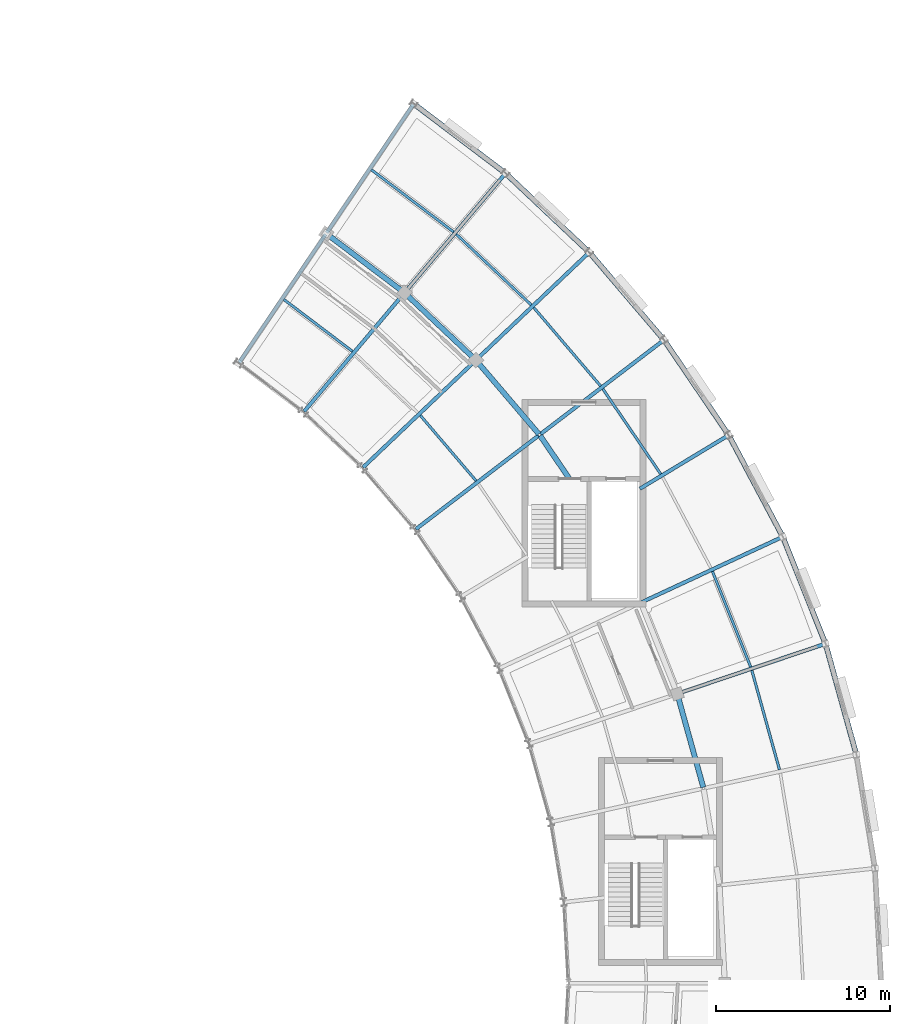
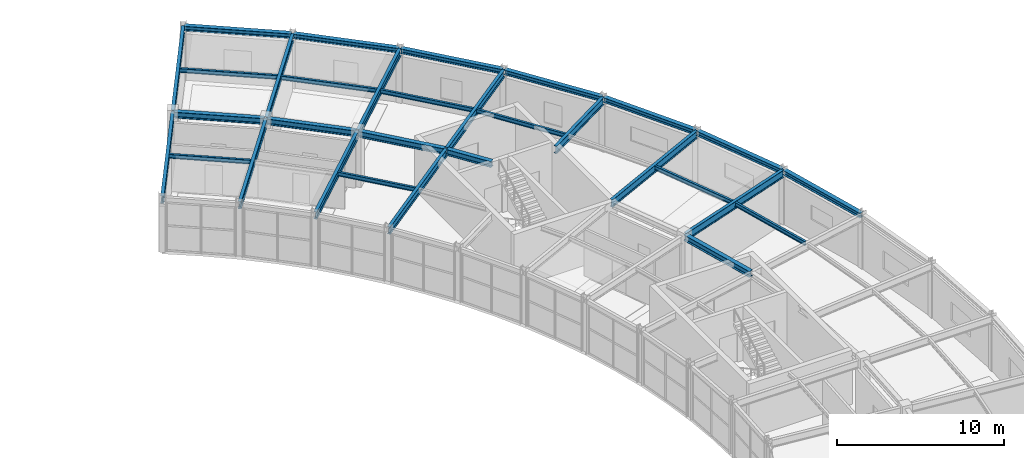
# One storey, part 39 of 63: 31 beams.
"""IFC4 building model written with IfcOpenShell, lengths in metres."""

from ifc_helpers import new_model, si_unit, direction, frame, origin, origin_2d, place, context, subcontext, project, spatial, i_section, extrude, material, material_profile, profile_set, type_object, element, save


model = new_model("IFC4")

# Units and contexts
model_context = context("Model", 3, precision=1e-05, world=origin(), true_north=direction((0.0, 1.0)))
body_context = subcontext(model_context, "Body", "Model", "MODEL_VIEW")
ifc_project = project(units=[si_unit("LENGTHUNIT", "METRE"), si_unit("AREAUNIT", "SQUARE_METRE"), si_unit("VOLUMEUNIT", "CUBIC_METRE"), si_unit("PLANEANGLEUNIT", "RADIAN"), si_unit("MASSUNIT", "GRAM", prefix="KILO")], contexts=[model_context])

# Site, building, storey
site_placement = place(None, origin())
site = spatial("IfcSite", under=ifc_project, at=site_placement, CompositionType="ELEMENT")
building_placement = place(site_placement, origin())
building = spatial("IfcBuilding", under=site, at=building_placement, Name="Tarnveldt Headland Concert Hall", CompositionType="ELEMENT")
storey_placement = place(building_placement, frame((0.0, 0.0, 14.39990234375)))
storey = spatial("IfcBuildingStorey", under=building, at=storey_placement, Name="L03", CompositionType="ELEMENT", Elevation=14.39990234375)

# Beams
ifc_material = material(Name="Steel S355", Category="steel")
ifc_material_profile_1 = material_profile(ifc_material, i_section(OverallWidth=0.300048828125, OverallDepth=0.35009765625, WebThickness=0.010009765625, FlangeThickness=0.017578125, FilletRadius=0.027099609375, at=origin_2d()), Name="HEA360", Category="steel")
ifc_profile_set_1 = profile_set([ifc_material_profile_1], Name="Steel S355")
beam_type_1 = type_object("IfcBeamType", Name="SB-HEA360", PredefinedType="SPANDREL", material=ifc_profile_set_1)
beam_1_placement = place(storey_placement, frame((177.05078125, 73.202880859375, 3.78515625), z_axis=(-0.268162889674, 0.963373585169, 0.0), x_axis=(-0.963373585169, -0.268162889674, 0.0)))
element("IfcBeam", 1, at=beam_1_placement, inside=storey, type_object=beam_type_1, Name="Framing beam L03-1285", PredefinedType="SPANDREL", context=body_context, shape_type="SweptSolid", body=[
    extrude(i_section(OverallWidth=0.300048828125, OverallDepth=0.35009765625, WebThickness=0.010009765625, FlangeThickness=0.017578125, FilletRadius=0.027099609375, at=origin_2d()), origin(), (0.0, 0.0, 1.0), 6.501220703125),
])
beam_2_placement = place(storey_placement, frame((175.268798828125, 79.57958984375, 3.78515625), z_axis=(-0.370995678575, 0.928634592549, 0.0), x_axis=(-0.928634592549, -0.370995678575, 0.0)))
element("IfcBeam", 2, at=beam_2_placement, inside=storey, type_object=beam_type_1, Name="Framing beam L03-1292", PredefinedType="SPANDREL", context=body_context, shape_type="SweptSolid", body=[
    extrude(i_section(OverallWidth=0.300048828125, OverallDepth=0.35009765625, WebThickness=0.010009765625, FlangeThickness=0.017578125, FilletRadius=0.027099609375, at=origin_2d()), origin(), (0.0, 0.0, 1.0), 6.5009765625),
])
beam_3_placement = place(storey_placement, frame((172.806396484375, 85.7255859375, 3.78515625), z_axis=(-0.469455397466, 0.882956187922, 0.0), x_axis=(-0.882956187922, -0.469455397466, 0.0)))
element("IfcBeam", 3, at=beam_3_placement, inside=storey, type_object=beam_type_1, Name="Framing beam L03-1298", PredefinedType="SPANDREL", context=body_context, shape_type="SweptSolid", body=[
    extrude(i_section(OverallWidth=0.300048828125, OverallDepth=0.35009765625, WebThickness=0.010009765625, FlangeThickness=0.017578125, FilletRadius=0.027099609375, at=origin_2d()), origin(), (0.0, 0.0, 1.0), 6.501220703125),
])
for number, where, z_axis, x_axis, name in (
    (4, (169.6923828125, 91.568359375, 3.78515625), (-0.562406572897, 0.826860838813, 0.0), (-0.826860838813, -0.562406572897, 0.0), "Framing beam L03-1305"),
    (5, (165.96337890625, 97.039306640625, 3.78515625), (-0.648710643709, 0.761035150791, 0.0), (-0.761035150791, -0.648710643709, 0.0), "Framing beam L03-1312"),
):
    element("IfcBeam", number, at=place(storey_placement, frame(where, z_axis=z_axis, x_axis=x_axis)), inside=storey, type_object=beam_type_1, Name=name, PredefinedType="SPANDREL", context=body_context, shape_type="SweptSolid", body=[
        extrude(i_section(OverallWidth=0.300048828125, OverallDepth=0.35009765625, WebThickness=0.010009765625, FlangeThickness=0.017578125, FilletRadius=0.027099609375, at=origin_2d()), origin(), (0.0, 0.0, 1.0), 6.5009765625),
    ])
beam_4_placement = place(storey_placement, frame((161.66357421875, 102.07373046875, 3.78515625), z_axis=(-0.727385871825, 0.686228674328, 0.0), x_axis=(-0.686228674328, -0.727385871825, 0.0)))
element("IfcBeam", 6, at=beam_4_placement, inside=storey, type_object=beam_type_1, Name="Framing beam L03-1319", PredefinedType="SPANDREL", context=body_context, shape_type="SweptSolid", body=[
    extrude(i_section(OverallWidth=0.300048828125, OverallDepth=0.35009765625, WebThickness=0.010009765625, FlangeThickness=0.017578125, FilletRadius=0.027099609375, at=origin_2d()), origin(), (0.0, 0.0, 1.0), 6.50146484375),
])
beam_5_placement = place(storey_placement, frame((156.84326171875, 106.612548828125, 3.78515625), z_axis=(-0.797469381904, 0.603359416041, 0.0), x_axis=(-0.603359416041, -0.797469381904, 0.0)))
element("IfcBeam", 7, at=beam_5_placement, inside=storey, type_object=beam_type_1, Name="Framing beam L03-1326", PredefinedType="SPANDREL", context=body_context, shape_type="SweptSolid", body=[
    extrude(i_section(OverallWidth=0.300048828125, OverallDepth=0.35009765625, WebThickness=0.010009765625, FlangeThickness=0.017578125, FilletRadius=0.027099609375, at=origin_2d()), origin(), (0.0, 0.0, 1.0), 6.501220703125),
])
ifc_material_profile_2 = material_profile(ifc_material, i_section(OverallWidth=0.300048828125, OverallDepth=0.43994140625, WebThickness=0.011474609375, FlangeThickness=0.02099609375, FilletRadius=0.027099609375, at=origin_2d()), Name="HEA450", Category="steel")
ifc_profile_set_2 = profile_set([ifc_material_profile_2], Name="Steel S355")
beam_type_2 = type_object("IfcBeamType", Name="SB-HEA450", PredefinedType="BEAM", material=ifc_profile_set_2)
beam_6_placement = place(storey_placement, frame((168.26220703125, 71.263427734375, 3.739990234375), z_axis=(-0.268165788284, 0.963372778313, 0.0), x_axis=(-0.963372778313, -0.268165788284, 0.0)))
element("IfcBeam", 8, at=beam_6_placement, inside=storey, type_object=beam_type_2, Name="Framing beam L03-1284", PredefinedType="BEAM", context=body_context, shape_type="SweptSolid", body=[
    extrude(i_section(OverallWidth=0.300048828125, OverallDepth=0.43994140625, WebThickness=0.011474609375, FlangeThickness=0.02099609375, FilletRadius=0.027099609375, at=origin_2d()), origin(), (0.0, 0.0, 1.0), 5.5244140625),
])
beam_7_placement = place(storey_placement, frame((160.57080078125, 89.0, 3.739990234375), z_axis=(-0.562434400968, 0.826841910288, 0.0), x_axis=(-0.826841910288, -0.562434400968, 0.0)))
element("IfcBeam", 9, at=beam_7_placement, inside=storey, type_object=beam_type_2, Name="Framing beam L03-1304", PredefinedType="BEAM", context=body_context, shape_type="SweptSolid", body=[
    extrude(i_section(OverallWidth=0.300048828125, OverallDepth=0.43994140625, WebThickness=0.011474609375, FlangeThickness=0.02099609375, FilletRadius=0.027099609375, at=origin_2d()), origin(), (0.0, 0.0, 1.0), 3.00634765625),
])
for number, where, z_axis, x_axis, name in (
    (10, (158.807373046875, 91.581298828125, 3.739990234375), (-0.648725364662, 0.761022602322, 0.0), (-0.761022602322, -0.648725364662, 0.0), "Framing beam L03-1311"),
    (11, (155.14111328125, 95.872314453125, 3.739990234375), (-0.727401560734, 0.686212044081, 0.0), (-0.686212044081, -0.727401560734, 0.0), "Framing beam L03-1318"),
):
    element("IfcBeam", number, at=place(storey_placement, frame(where, z_axis=z_axis, x_axis=x_axis)), inside=storey, type_object=beam_type_2, Name=name, PredefinedType="BEAM", context=body_context, shape_type="SweptSolid", body=[
        extrude(i_section(OverallWidth=0.300048828125, OverallDepth=0.43994140625, WebThickness=0.011474609375, FlangeThickness=0.02099609375, FilletRadius=0.027099609375, at=origin_2d()), origin(), (0.0, 0.0, 1.0), 5.524169921875),
    ])
beam_8_placement = place(storey_placement, frame((151.031494140625, 99.740478515625, 3.739990234375), z_axis=(-0.79747936857, 0.603346216285, 0.0), x_axis=(-0.603346216285, -0.79747936857, 0.0)))
element("IfcBeam", 12, at=beam_8_placement, inside=storey, type_object=beam_type_2, Name="Framing beam L03-1325", PredefinedType="BEAM", context=body_context, shape_type="SweptSolid", body=[
    extrude(i_section(OverallWidth=0.300048828125, OverallDepth=0.43994140625, WebThickness=0.011474609375, FlangeThickness=0.02099609375, FilletRadius=0.027099609375, at=origin_2d()), origin(), (0.0, 0.0, 1.0), 5.524658203125),
])
ifc_material_profile_3 = material_profile(ifc_material, i_section(OverallWidth=0.14990234375, OverallDepth=0.300048828125, WebThickness=0.007080078125, FlangeThickness=0.0107421875, FilletRadius=0.014892578125, at=origin_2d()), Name="IPE300", Category="steel")
ifc_profile_set_3 = profile_set([ifc_material_profile_3], Name="Steel S355")
beam_type_3 = type_object("IfcBeamType", Name="SB-IPE300", PredefinedType="JOIST", material=ifc_profile_set_3)
beam_9_placement = place(storey_placement, frame((172.644287109375, 72.276611328125, 3.81005859375), z_axis=(-0.268143442058, 0.96337899836, 0.0), x_axis=(-0.96337899836, -0.268143442058, 0.0)))
element("IfcBeam", 13, at=beam_9_placement, inside=storey, type_object=beam_type_3, Name="Framing beam L03-1287", PredefinedType="JOIST", context=body_context, shape_type="SweptSolid", body=[
    extrude(i_section(OverallWidth=0.14990234375, OverallDepth=0.300048828125, WebThickness=0.007080078125, FlangeThickness=0.0107421875, FilletRadius=0.014892578125, at=origin_2d()), origin(), (0.0, 0.0, 1.0), 5.922607421875),
])
beam_10_placement = place(storey_placement, frame((170.989013671875, 78.180908203125, 3.81005859375), z_axis=(-0.371013987619, 0.928627277755, 0.0), x_axis=(-0.928627277755, -0.371013987619, 0.0)))
element("IfcBeam", 14, at=beam_10_placement, inside=storey, type_object=beam_type_3, Name="Framing beam L03-1294", PredefinedType="JOIST", context=body_context, shape_type="SweptSolid", body=[
    extrude(i_section(OverallWidth=0.14990234375, OverallDepth=0.300048828125, WebThickness=0.007080078125, FlangeThickness=0.0107421875, FilletRadius=0.014892578125, at=origin_2d()), origin(), (0.0, 0.0, 1.0), 5.923095703125),
])
beam_11_placement = place(storey_placement, frame((165.814208984375, 89.2802734375, 3.81005859375), z_axis=(-0.562372031055, 0.826884332109, 0.0), x_axis=(-0.826884332109, -0.562372031055, 0.0)))
element("IfcBeam", 15, at=beam_11_placement, inside=storey, type_object=beam_type_3, Name="Framing beam L03-1307", PredefinedType="JOIST", context=body_context, shape_type="SweptSolid", body=[
    extrude(i_section(OverallWidth=0.14990234375, OverallDepth=0.300048828125, WebThickness=0.007080078125, FlangeThickness=0.0107421875, FilletRadius=0.014892578125, at=origin_2d()), origin(), (0.0, 0.0, 1.0), 5.9228515625),
])
beam_12_placement = place(storey_placement, frame((155.2001953125, 88.88623046875, 3.81005859375), z_axis=(-0.648699496025, 0.761044652998, 0.0), x_axis=(-0.761044652998, -0.648699496025, 0.0)))
element("IfcBeam", 16, at=beam_12_placement, inside=storey, type_object=beam_type_3, Name="Framing beam L03-1313", PredefinedType="JOIST", context=body_context, shape_type="SweptSolid", body=[
    extrude(i_section(OverallWidth=0.14990234375, OverallDepth=0.300048828125, WebThickness=0.007080078125, FlangeThickness=0.0107421875, FilletRadius=0.014892578125, at=origin_2d()), origin(), (0.0, 0.0, 1.0), 4.946044921875),
])
beam_13_placement = place(storey_placement, frame((162.356201171875, 94.344482421875, 3.81005859375), z_axis=(-0.648731827873, 0.761017092781, 0.0), x_axis=(-0.761017092781, -0.648731827873, 0.0)))
element("IfcBeam", 17, at=beam_13_placement, inside=storey, type_object=beam_type_3, Name="Framing beam L03-1314", PredefinedType="JOIST", context=body_context, shape_type="SweptSolid", body=[
    extrude(i_section(OverallWidth=0.14990234375, OverallDepth=0.300048828125, WebThickness=0.007080078125, FlangeThickness=0.0107421875, FilletRadius=0.014892578125, at=origin_2d()), origin(), (0.0, 0.0, 1.0), 5.9228515625),
])
beam_14_placement = place(storey_placement, frame((158.369384765625, 99.00390625, 3.81005859375), z_axis=(-0.727377734645, 0.68623729944, 0.0), x_axis=(-0.68623729944, -0.727377734645, 0.0)))
element("IfcBeam", 18, at=beam_14_placement, inside=storey, type_object=beam_type_3, Name="Framing beam L03-1321", PredefinedType="JOIST", context=body_context, shape_type="SweptSolid", body=[
    extrude(i_section(OverallWidth=0.14990234375, OverallDepth=0.300048828125, WebThickness=0.007080078125, FlangeThickness=0.0107421875, FilletRadius=0.014892578125, at=origin_2d()), origin(), (0.0, 0.0, 1.0), 5.92236328125),
])
beam_15_placement = place(storey_placement, frame((148.089599609375, 96.331787109375, 3.81005859375), z_axis=(-0.79746351777, 0.603367166679, 0.0), x_axis=(-0.603367166679, -0.79746351777, 0.0)))
element("IfcBeam", 19, at=beam_15_placement, inside=storey, type_object=beam_type_3, Name="Framing beam L03-1327", PredefinedType="JOIST", context=body_context, shape_type="SweptSolid", body=[
    extrude(i_section(OverallWidth=0.14990234375, OverallDepth=0.300048828125, WebThickness=0.007080078125, FlangeThickness=0.0107421875, FilletRadius=0.014892578125, at=origin_2d()), origin(), (0.0, 0.0, 1.0), 4.94580078125),
])
beam_16_placement = place(storey_placement, frame((153.9013671875, 103.20361328125, 3.81005859375), z_axis=(-0.797485181363, 0.603338533086, 0.0), x_axis=(-0.603338533086, -0.797485181363, 0.0)))
element("IfcBeam", 20, at=beam_16_placement, inside=storey, type_object=beam_type_3, Name="Framing beam L03-1328", PredefinedType="JOIST", context=body_context, shape_type="SweptSolid", body=[
    extrude(i_section(OverallWidth=0.14990234375, OverallDepth=0.300048828125, WebThickness=0.007080078125, FlangeThickness=0.0107421875, FilletRadius=0.014892578125, at=origin_2d()), origin(), (0.0, 0.0, 1.0), 5.9228515625),
])
ifc_material_profile_4 = material_profile(ifc_material, i_section(OverallWidth=0.2099609375, OverallDepth=0.550048828125, WebThickness=0.010986328125, FlangeThickness=0.01708984375, FilletRadius=0.02392578125, at=origin_2d()), Name="IPE550", Category="steel")
ifc_profile_set_4 = profile_set([ifc_material_profile_4], Name="Steel S355")
beam_type_4 = type_object("IfcBeamType", Name="SB-IPE550", PredefinedType="BEAM", material=ifc_profile_set_4)
for number, where, z_axis, x_axis, name in (
    (21, (166.8212890625, 76.662353515625, 3.68505859375), (0.947394358085, 0.320068633686, 0.0), (-0.320068633686, 0.947394358085, 0.0), "Framing beam L03-1289"),
    (22, (164.724853515625, 81.909912109375, 3.68505859375), (0.907125568287, 0.420860075749, 0.0), (-0.420860075749, 0.907125568287, 0.0), "Framing beam L03-1296"),
):
    element("IfcBeam", number, at=place(storey_placement, frame(where, z_axis=z_axis, x_axis=x_axis)), inside=storey, type_object=beam_type_4, Name=name, PredefinedType="BEAM", context=body_context, shape_type="SweptSolid", body=[
        extrude(i_section(OverallWidth=0.2099609375, OverallDepth=0.550048828125, WebThickness=0.010986328125, FlangeThickness=0.01708984375, FilletRadius=0.02392578125, at=origin_2d()), origin(), (0.0, 0.0, 1.0), 8.880126953125),
    ])
beam_17_placement = place(storey_placement, frame((164.6201171875, 88.43701171875, 3.68505859375), z_axis=(0.856147288877, 0.516731864461, 0.0), x_axis=(-0.516731864461, 0.856147288877, 0.0)))
element("IfcBeam", 23, at=beam_17_placement, inside=storey, type_object=beam_type_4, Name="Framing beam L03-1302", PredefinedType="BEAM", context=body_context, shape_type="SweptSolid", body=[
    extrude(i_section(OverallWidth=0.2099609375, OverallDepth=0.550048828125, WebThickness=0.010986328125, FlangeThickness=0.01708984375, FilletRadius=0.02392578125, at=origin_2d()), origin(), (0.0, 0.0, 1.0), 5.904052734375),
])
beam_18_placement = place(storey_placement, frame((151.73779296875, 86.11376953125, 3.68505859375), z_axis=(0.795127420909, 0.6064424, 0.0), x_axis=(-0.6064424, 0.795127420909, 0.0)))
element("IfcBeam", 24, at=beam_18_placement, inside=storey, type_object=beam_type_4, Name="Framing beam L03-1308", PredefinedType="BEAM", context=body_context, shape_type="SweptSolid", body=[
    extrude(i_section(OverallWidth=0.2099609375, OverallDepth=0.550048828125, WebThickness=0.010986328125, FlangeThickness=0.01708984375, FilletRadius=0.02392578125, at=origin_2d()), origin(), (0.0, 0.0, 1.0), 8.880126953125),
])
beam_19_placement = place(storey_placement, frame((158.89404296875, 91.572021484375, 3.68505859375), z_axis=(0.795130566959, 0.606438275084, 0.0), x_axis=(-0.606438275084, 0.795130566959, 0.0)))
element("IfcBeam", 25, at=beam_19_placement, inside=storey, type_object=beam_type_4, Name="Framing beam L03-1309", PredefinedType="BEAM", context=body_context, shape_type="SweptSolid", body=[
    extrude(i_section(OverallWidth=0.2099609375, OverallDepth=0.550048828125, WebThickness=0.010986328125, FlangeThickness=0.01708984375, FilletRadius=0.02392578125, at=origin_2d()), origin(), (0.0, 0.0, 1.0), 8.879638671875),
])
for number, where, z_axis, x_axis, name in (
    (26, (148.705810546875, 89.6708984375, 3.68505859375), (0.724698020854, 0.689066599517, 0.0), (-0.689066599517, 0.724698020854, 0.0), "Framing beam L03-1315"),
    (27, (155.228271484375, 95.872314453125, 3.68505859375), (0.724698020854, 0.689066599517, 0.0), (-0.689066599517, 0.724698020854, 0.0), "Framing beam L03-1316"),
):
    element("IfcBeam", number, at=place(storey_placement, frame(where, z_axis=z_axis, x_axis=x_axis)), inside=storey, type_object=beam_type_4, Name=name, PredefinedType="BEAM", context=body_context, shape_type="SweptSolid", body=[
        extrude(i_section(OverallWidth=0.2099609375, OverallDepth=0.550048828125, WebThickness=0.010986328125, FlangeThickness=0.01708984375, FilletRadius=0.02392578125, at=origin_2d()), origin(), (0.0, 0.0, 1.0), 8.8798828125),
    ])
for number, where, z_axis, x_axis, name in (
    (28, (145.30615234375, 92.87841796875, 3.68505859375), (0.645759819996, 0.763540604604, 0.0), (-0.763540604604, 0.645759819996, 0.0), "Framing beam L03-1322"),
    (29, (151.117919921875, 99.750244140625, 3.68505859375), (0.645759819996, 0.763540604604, 0.0), (-0.763540604604, 0.645759819996, 0.0), "Framing beam L03-1323"),
    (30, (141.578857421875, 95.6982421875, 3.68505859375), (0.559177704886, 0.829047823927, 0.0), (-0.829047823927, 0.559177704886, 0.0), "Framing beam L03-1329"),
):
    element("IfcBeam", number, at=place(storey_placement, frame(where, z_axis=z_axis, x_axis=x_axis)), inside=storey, type_object=beam_type_4, Name=name, PredefinedType="BEAM", context=body_context, shape_type="SweptSolid", body=[
        extrude(i_section(OverallWidth=0.2099609375, OverallDepth=0.550048828125, WebThickness=0.010986328125, FlangeThickness=0.01708984375, FilletRadius=0.02392578125, at=origin_2d()), origin(), (0.0, 0.0, 1.0), 8.880126953125),
    ])
beam_20_placement = place(storey_placement, frame((146.611572265625, 103.15966796875, 3.68505859375), z_axis=(0.5591904504, 0.829039227167, 0.0), x_axis=(-0.829039227167, 0.5591904504, 0.0)))
element("IfcBeam", 31, at=beam_20_placement, inside=storey, type_object=beam_type_4, Name="Framing beam L03-1330", PredefinedType="BEAM", context=body_context, shape_type="SweptSolid", body=[
    extrude(i_section(OverallWidth=0.2099609375, OverallDepth=0.550048828125, WebThickness=0.010986328125, FlangeThickness=0.01708984375, FilletRadius=0.02392578125, at=origin_2d()), origin(), (0.0, 0.0, 1.0), 8.8798828125),
])

save(model, "model.ifc")
